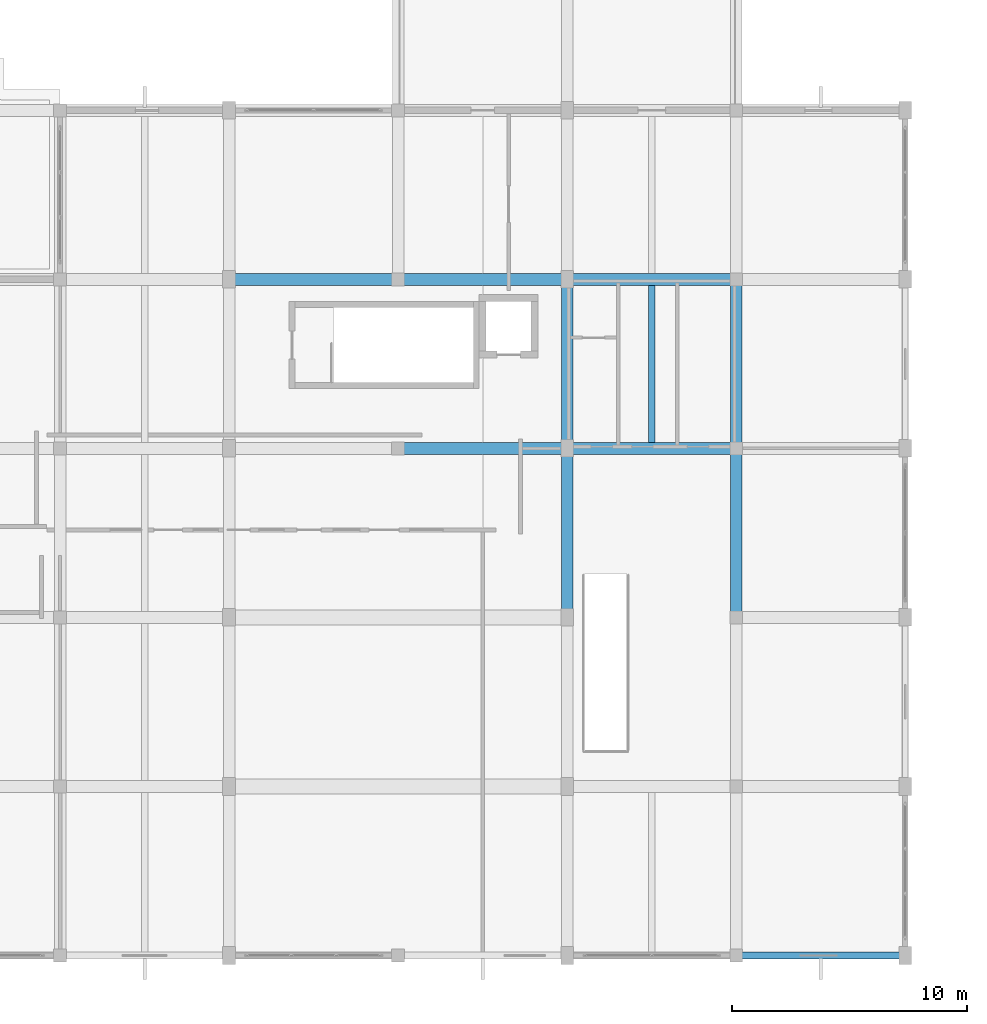
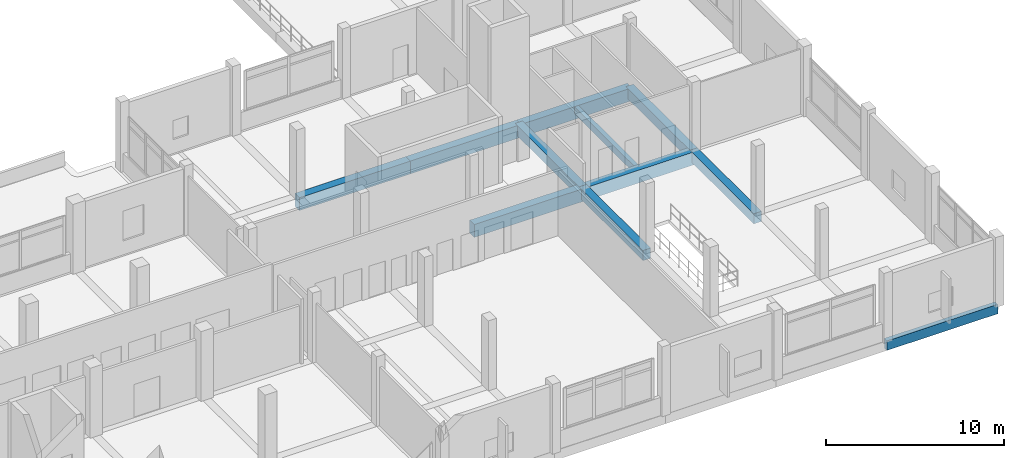
# One storey, part 86 of 140: 11 beams.
"""IFC4 building model written with IfcOpenShell, lengths in metres."""

import ifcopenshell
import ifcopenshell.guid

model = None  # the IFC model being written
_history = None  # IfcOwnerHistory: only IFC2X3 demands one
_inside = {}  # id of a spatial element -> (the spatial element, [elements in it])
_under = {}  # id of a project, library or spatial element -> (it, [spatial elements below it])
_declared = {}  # id of a project -> (the project, [libraries it declares])
_typed = {}  # id of a type object -> (the type object, [elements of that type])
_made_of = {}  # id of a material, layer set ... -> (it, [elements and type objects made of it])


def new_model(schema):
    """Start an empty IFC model of exactly this schema.

    Asked for "IFC4X3", IfcOpenShell would pick the latest addendum, in which some entities
    have other attributes; the version numbers below select the first issue.
    IFC2X3 requires an IfcOwnerHistory on every rooted entity: one is made here for all.
    """
    global model, _history
    if schema == "IFC4X3":
        model = ifcopenshell.file(schema_version=(4, 3, 0, 0))
    else:
        model = ifcopenshell.file(schema=schema)
    _inside.clear()
    _under.clear()
    _declared.clear()
    _typed.clear()
    _made_of.clear()
    _history = None
    if model.schema == "IFC2X3":
        org = make("IfcOrganization", Name="unknown")
        user = make(
            "IfcPersonAndOrganization",
            ThePerson=make("IfcPerson", FamilyName="unknown"),
            TheOrganization=org,
        )
        app = make(
            "IfcApplication",
            ApplicationDeveloper=org,
            Version="unknown",
            ApplicationFullName="unknown",
            ApplicationIdentifier="unknown",
        )
        _history = make(
            "IfcOwnerHistory",
            OwningUser=user,
            OwningApplication=app,
            ChangeAction="ADDED",
            CreationDate=0,
        )
    return model


def make(cls, **values):
    """One entity of the class cls with the attributes given. An attribute that is None is left unset."""
    return model.create_entity(
        cls, **{name: value for name, value in values.items() if value is not None}
    )


def rooted(cls, **values):
    """An entity with a GlobalId (a new one), such as an element, a storey or a relation."""
    return make(cls, GlobalId=ifcopenshell.guid.new(), OwnerHistory=_history, **values)


def si_unit(unit_type, name, prefix=None):
    """IfcSIUnit, for example si_unit("LENGTHUNIT", "METRE", prefix="MILLI")."""
    return make("IfcSIUnit", UnitType=unit_type, Prefix=prefix, Name=name)


def assignment(units):
    """IfcUnitAssignment: the units of a project."""
    return None if units is None else make("IfcUnitAssignment", Units=units)


def point(xyz):
    """IfcCartesianPoint."""
    return None if xyz is None else make("IfcCartesianPoint", Coordinates=xyz)


def direction(xyz):
    """IfcDirection."""
    return None if xyz is None else make("IfcDirection", DirectionRatios=xyz)


def frame(location, z_axis=None, x_axis=None):
    """IfcAxis2Placement3D, a coordinate frame: its origin and axes. An axis left out is left unset."""
    return make(
        "IfcAxis2Placement3D",
        Location=point(location),
        Axis=direction(z_axis),
        RefDirection=direction(x_axis),
    )


def frame_2d(location, x_axis=None):
    """IfcAxis2Placement2D, a coordinate frame in the plane: its origin and x axis."""
    return make(
        "IfcAxis2Placement2D", Location=point(location), RefDirection=direction(x_axis)
    )


def origin():
    """The frame at (0, 0, 0) with its axes left unset."""
    return frame((0.0, 0.0, 0.0))


def origin_2d():
    """The frame at (0, 0) in the plane with its x axis left unset."""
    return frame_2d((0.0, 0.0))


def place(relative_to, where):
    """IfcLocalPlacement: puts the frame where relative to a parent placement (None: the world)."""
    return make(
        "IfcLocalPlacement", PlacementRelTo=relative_to, RelativePlacement=where
    )


def context(
    kind, dimensions, precision=None, world=None, true_north=None, identifier=None
):
    """IfcGeometricRepresentationContext, for example the 3D "Model" context."""
    return make(
        "IfcGeometricRepresentationContext",
        ContextIdentifier=identifier,
        ContextType=kind,
        CoordinateSpaceDimension=dimensions,
        Precision=precision,
        WorldCoordinateSystem=world,
        TrueNorth=true_north,
    )


def subcontext(parent, identifier, kind, view, scale=None):
    """IfcGeometricRepresentationSubContext, for example "Body" below "Model"."""
    return make(
        "IfcGeometricRepresentationSubContext",
        ContextIdentifier=identifier,
        ContextType=kind,
        ParentContext=parent,
        TargetScale=scale,
        TargetView=view,
    )


def project(units=None, contexts=None):
    """IfcProject with its units and contexts."""
    return rooted(
        "IfcProject",
        Name="project",
        RepresentationContexts=contexts,
        UnitsInContext=assignment(units),
    )


def spatial(cls, under=None, at=None, **own):
    """A site, building, storey or space (cls), placed at a placement, below another one or the project."""
    s = rooted(cls, ObjectPlacement=at, **own)
    if under is not None:
        _under.setdefault(under.id(), (under, []))[1].append(s)
    return s


def profile(cls, at=None, kind="AREA", **sizes):
    """A parametric profile (cls). Its sizes go by their IFC names, for example OverallWidth=200.0."""
    return make(cls, ProfileType=kind, Position=at, **sizes)


def rectangle(**sizes):
    """IfcRectangleProfileDef."""
    return profile("IfcRectangleProfileDef", **sizes)


def extrude(swept, where, along, depth):
    """IfcExtrudedAreaSolid: the profile swept, set in the frame where, extruded along a direction by depth."""
    return make(
        "IfcExtrudedAreaSolid",
        SweptArea=swept,
        Position=where,
        ExtrudedDirection=direction(along),
        Depth=depth,
    )


def shape(context_of_items, identifier, shape_type, items):
    """IfcShapeRepresentation: the items that make up one representation, for example the "Body"."""
    return make(
        "IfcShapeRepresentation",
        ContextOfItems=context_of_items,
        RepresentationIdentifier=identifier,
        RepresentationType=shape_type,
        Items=items,
    )


def material(Name=None, Category=None):
    """IfcMaterial."""
    return make("IfcMaterial", Name=Name, Category=Category)


def material_profile(
    of_material, cross_section, Name=None, Category=None, Priority=None
):
    """IfcMaterialProfile: a cross section and its material."""
    return make(
        "IfcMaterialProfile",
        Name=Name,
        Material=of_material,
        Profile=cross_section,
        Priority=Priority,
        Category=Category,
    )


def profile_set(profiles, Name=None, composite=None):
    """IfcMaterialProfileSet."""
    return make(
        "IfcMaterialProfileSet",
        Name=Name,
        MaterialProfiles=profiles,
        CompositeProfile=composite,
    )


def made_of(thing, what):
    """Note that an element or type object is made of a material, layer set ...; save() writes the relation."""
    if what is not None:
        _made_of.setdefault(what.id(), (what, []))[1].append(thing)
    return thing


def type_object(cls, material=None, **own):
    """A type object (cls), such as IfcWallType, which elements share."""
    return made_of(rooted(cls, **own), material)


def element(
    cls,
    number,
    at=None,
    inside=None,
    cuts=None,
    type_object=None,
    material=None,
    context=None,
    identifier="Body",
    shape_type=None,
    held_by="IfcProductDefinitionShape",
    body=None,
    shapes=None,
    **own,
):
    """One element of the class cls, such as IfcWall. Its Tag is "e" and its number.

    at: its placement. inside: the storey or other place that contains it. cuts: it is an
    opening in that element (IfcRelVoidsElement). A single representation is given by context,
    identifier, shape_type and body (its items); several are given by shapes. held_by: the class
    of the entity that holds the representations. save() writes the other relations.
    """
    e = rooted(cls, Tag="e%d" % number, ObjectPlacement=at, **own)
    if body is not None:
        shapes = [shape(context, identifier, shape_type, body)]
    if shapes is not None:
        e.Representation = make(held_by, Representations=shapes)
    if inside is not None:
        _inside.setdefault(inside.id(), (inside, []))[1].append(e)
    if cuts is not None:
        rooted(
            "IfcRelVoidsElement", RelatingBuildingElement=cuts, RelatedOpeningElement=e
        )
    if type_object is not None:
        _typed.setdefault(type_object.id(), (type_object, []))[1].append(e)
    return made_of(e, material)


def aggregate(whole, parts):
    """IfcRelAggregates: a whole, such as a stair, and the parts it consists of."""
    return rooted("IfcRelAggregates", RelatingObject=whole, RelatedObjects=parts)


def save(model, path):
    """Write the relations noted so far, then the file.

    IfcRelAggregates (storeys below a building ...), IfcRelContainedInSpatialStructure (elements
    in a storey), IfcRelDefinesByType, IfcRelAssociatesMaterial and IfcRelDeclares: one each for
    every whole, place, type object, material and project.
    """
    for whole, parts in _under.values():
        aggregate(whole, parts)
    for where, things in _inside.values():
        rooted(
            "IfcRelContainedInSpatialStructure",
            RelatedElements=things,
            RelatingStructure=where,
        )
    for kind, things in _typed.values():
        rooted("IfcRelDefinesByType", RelatedObjects=things, RelatingType=kind)
    for what, things in _made_of.values():
        rooted("IfcRelAssociatesMaterial", RelatedObjects=things, RelatingMaterial=what)
    for by, libraries in _declared.values():
        rooted("IfcRelDeclares", RelatingContext=by, RelatedDefinitions=libraries)
    model.write(path)


model = new_model("IFC4")

# Units and contexts
model_context = context("Model", 3, precision=1e-05, world=origin(), true_north=direction((0.0, 1.0)))
body_context = subcontext(model_context, "Body", "Model", "MODEL_VIEW")
ifc_project = project(units=[si_unit("LENGTHUNIT", "METRE"), si_unit("AREAUNIT", "SQUARE_METRE"), si_unit("VOLUMEUNIT", "CUBIC_METRE"), si_unit("PLANEANGLEUNIT", "RADIAN"), si_unit("MASSUNIT", "GRAM", prefix="KILO")], contexts=[model_context])

# Site, building, storey
site_placement = place(None, origin())
site = spatial("IfcSite", under=ifc_project, at=site_placement, CompositionType="ELEMENT")
building_placement = place(site_placement, origin())
building = spatial("IfcBuilding", under=site, at=building_placement, Name="Seraya Terrace Polytechnic", CompositionType="ELEMENT")
storey_placement = place(building_placement, frame((0.0, 0.0, 9.60009765625)))
storey = spatial("IfcBuildingStorey", under=building, at=storey_placement, Name="L02", CompositionType="ELEMENT", Elevation=9.60009765625)

# Beams
ifc_material = material(Name="Concrete C40/50", Category="concrete")
ifc_material_profile_1 = material_profile(ifc_material, rectangle(XDim=0.52001953125, YDim=0.8798828125, at=origin_2d()), Name="RC 520x880")
ifc_profile_set_1 = profile_set([ifc_material_profile_1], Name="Concrete C40/50")
beam_type_1 = type_object("IfcBeamType", Name="BM-04", PredefinedType="BEAM", material=ifc_profile_set_1)
for number, where, z_axis, x_axis, name in (
    (1, (144.0, 21.60009765625, -0.440185546875), (1.0, 0.0, 0.0), (0.0, 1.0, 0.0), "Beam BM-04 L02 X (144.0..151.2, 21.6)"),
    (2, (151.199951171875, 21.60009765625, -0.440185546875), (1.0, 0.0, 0.0), (0.0, 1.0, 0.0), "Beam BM-04 L02 X (151.2..158.4, 21.6)"),
    (3, (136.800048828125, 28.800048828125, -0.440185546875), (1.0, 0.0, 0.0), (0.0, 1.0, 0.0), "Beam BM-04 L02 X (136.8..144.0, 28.8)"),
    (4, (144.0, 28.800048828125, -0.440185546875), (1.0, 0.0, 0.0), (0.0, 1.0, 0.0), "Beam BM-04 L02 X (144.0..151.2, 28.8)"),
    (5, (151.199951171875, 28.800048828125, -0.440185546875), (1.0, 0.0, 0.0), (0.0, 1.0, 0.0), "Beam BM-04 L02 X (151.2..158.4, 28.8)"),
):
    element("IfcBeam", number, at=place(storey_placement, frame(where, z_axis=z_axis, x_axis=x_axis)), inside=storey, type_object=beam_type_1, Name=name, PredefinedType="BEAM", context=body_context, shape_type="SweptSolid", body=[
        extrude(rectangle(XDim=0.52001953125, YDim=0.8798828125, at=origin_2d()), origin(), (0.0, 0.0, 1.0), 7.199951171875),
    ])
ifc_material_profile_2 = material_profile(ifc_material, rectangle(XDim=0.5, YDim=0.699951171875, at=origin_2d()), Name="RC 500x700")
ifc_profile_set_2 = profile_set([ifc_material_profile_2], Name="Concrete C40/50")
beam_type_2 = type_object("IfcBeamType", Name="BM-07", PredefinedType="BEAM", material=ifc_profile_set_2)
beam_1_placement = place(storey_placement, frame((151.199951171875, 14.39990234375, -0.35009765625), z_axis=(0.0, 1.0, 0.0), x_axis=(-1.0, 0.0, 0.0)))
element("IfcBeam", 6, at=beam_1_placement, inside=storey, type_object=beam_type_2, Name="Beam BM-07 L02 Y (151.2, 14.4..21.6)", PredefinedType="BEAM", context=body_context, shape_type="SweptSolid", body=[
    extrude(rectangle(XDim=0.5, YDim=0.699951171875, at=origin_2d()), origin(), (0.0, 0.0, 1.0), 7.2001953125),
])
beam_2_placement = place(storey_placement, frame((151.199951171875, 21.60009765625, -0.35009765625), z_axis=(0.0, 1.0, 0.0), x_axis=(-1.0, 0.0, 0.0)))
element("IfcBeam", 7, at=beam_2_placement, inside=storey, type_object=beam_type_2, Name="Beam BM-07 L02 Y (151.2, 21.6..28.8)", PredefinedType="BEAM", context=body_context, shape_type="SweptSolid", body=[
    extrude(rectangle(XDim=0.5, YDim=0.699951171875, at=origin_2d()), origin(), (0.0, 0.0, 1.0), 7.199951171875),
])
beam_3_placement = place(storey_placement, frame((158.39990234375, 14.39990234375, -0.35009765625), z_axis=(0.0, 1.0, 0.0), x_axis=(-1.0, 0.0, 0.0)))
element("IfcBeam", 8, at=beam_3_placement, inside=storey, type_object=beam_type_2, Name="Beam BM-07 L02 Y (158.4, 14.4..21.6)", PredefinedType="BEAM", context=body_context, shape_type="SweptSolid", body=[
    extrude(rectangle(XDim=0.5, YDim=0.699951171875, at=origin_2d()), origin(), (0.0, 0.0, 1.0), 7.2001953125),
])
beam_4_placement = place(storey_placement, frame((158.39990234375, 21.60009765625, -0.35009765625), z_axis=(0.0, 1.0, 0.0), x_axis=(-1.0, 0.0, 0.0)))
element("IfcBeam", 9, at=beam_4_placement, inside=storey, type_object=beam_type_2, Name="Beam BM-07 L02 Y (158.4, 21.6..28.8)", PredefinedType="BEAM", context=body_context, shape_type="SweptSolid", body=[
    extrude(rectangle(XDim=0.5, YDim=0.699951171875, at=origin_2d()), origin(), (0.0, 0.0, 1.0), 7.199951171875),
])
ifc_material_profile_3 = material_profile(ifc_material, rectangle(XDim=0.280029296875, YDim=0.47998046875, at=origin_2d()), Name="RC 280x480")
ifc_profile_set_3 = profile_set([ifc_material_profile_3], Name="Concrete C40/50")
beam_type_3 = type_object("IfcBeamType", Name="JS-07", PredefinedType="JOIST", material=ifc_profile_set_3)
beam_5_placement = place(storey_placement, frame((154.800048828125, 21.860107421875, -0.239990234375), z_axis=(0.0, 1.0, 0.0), x_axis=(-1.0, 0.0, 0.0)))
element("IfcBeam", 10, at=beam_5_placement, inside=storey, type_object=beam_type_3, Name="Secondary joist JS-07 L02", PredefinedType="JOIST", context=body_context, shape_type="SweptSolid", body=[
    extrude(rectangle(XDim=0.280029296875, YDim=0.47998046875, at=origin_2d()), origin(), (0.0, 0.0, 1.0), 6.679931640625),
])
ifc_material_profile_4 = material_profile(ifc_material, rectangle(XDim=0.300048828125, YDim=0.64990234375, at=origin_2d()), Name="RC 300x650")
ifc_profile_set_4 = profile_set([ifc_material_profile_4], Name="Concrete C40/50")
beam_type_4 = type_object("IfcBeamType", Name="SP-01", PredefinedType="SPANDREL", material=ifc_profile_set_4)
beam_6_placement = place(storey_placement, frame((158.39990234375, 0.0, -0.3251953125), z_axis=(1.0, 0.0, 0.0), x_axis=(0.0, 1.0, 0.0)))
element("IfcBeam", 11, at=beam_6_placement, inside=storey, type_object=beam_type_4, Name="Beam SP-01 L02 X (158.4..165.6, 0.0)", PredefinedType="SPANDREL", context=body_context, shape_type="SweptSolid", body=[
    extrude(rectangle(XDim=0.300048828125, YDim=0.64990234375, at=origin_2d()), origin(), (0.0, 0.0, 1.0), 7.2001953125),
])

save(model, "model.ifc")
